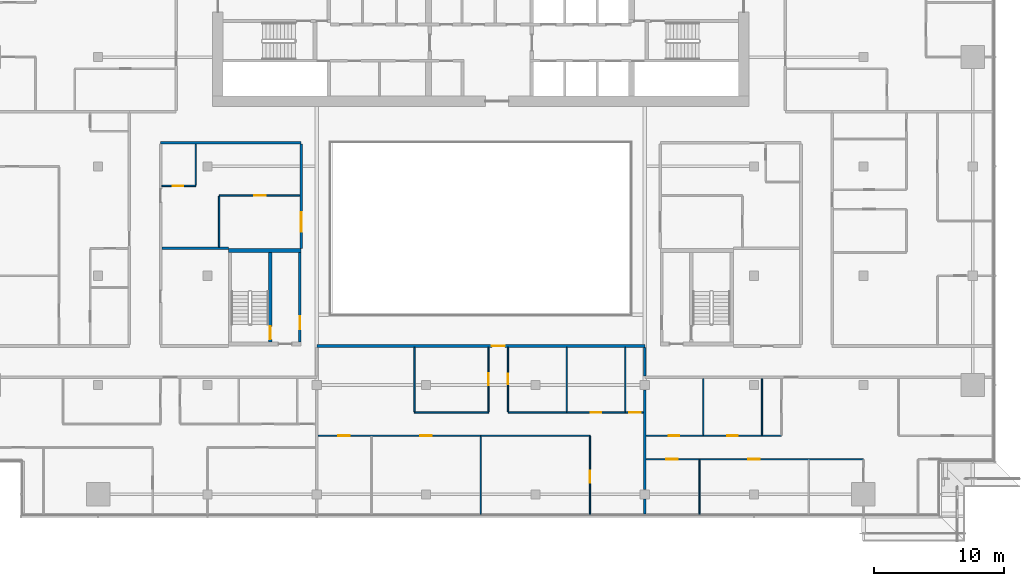
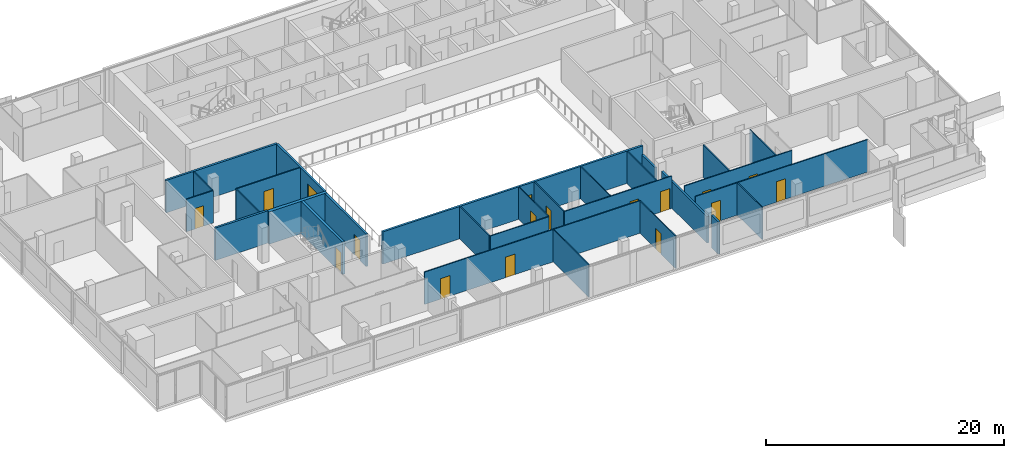
# One storey, part 19 of 30: 29 walls, 16 doors, 1 window, 17 openings.
"""IFC4 building model written with IfcOpenShell, lengths in metres."""

from ifc_helpers import new_model, si_unit, direction, frame, frame_2d, origin, place, context, subcontext, project, spatial, rectangle, extrude, material, layer, layer_set, type_object, element, fill, save


model = new_model("IFC4")

# Units and contexts
model_context = context("Model", 3, precision=1e-05, world=origin(), true_north=direction((0.0, 1.0)))
body_context = subcontext(model_context, "Body", "Model", "MODEL_VIEW")
ifc_project = project(units=[si_unit("LENGTHUNIT", "METRE"), si_unit("AREAUNIT", "SQUARE_METRE"), si_unit("VOLUMEUNIT", "CUBIC_METRE"), si_unit("PLANEANGLEUNIT", "RADIAN"), si_unit("MASSUNIT", "GRAM", prefix="KILO")], contexts=[model_context])

# Site, building, storey
site_placement = place(None, origin())
site = spatial("IfcSite", under=ifc_project, at=site_placement, CompositionType="ELEMENT")
building_placement = place(site_placement, origin())
building = spatial("IfcBuilding", under=site, at=building_placement, Name="Saffron Gate Tower", CompositionType="ELEMENT")
storey_placement = place(building_placement, frame((0.0, 0.0, 179.85009765625)))
storey = spatial("IfcBuildingStorey", under=building, at=storey_placement, Name="L44", CompositionType="ELEMENT", Elevation=179.85009765625)

# Wall, opening, door
ifc_material_1 = material(Name="Gypsum board partition on steel studs", Category="steel")
ifc_layer_1 = layer(ifc_material_1, 0.199951171875)
ifc_layer_set_1 = layer_set([ifc_layer_1], Name="CW10 Core partition 200")
wall_type_1 = type_object("IfcWallType", Name="CW10 Core partition 200", PredefinedType="PARTITIONING", material=ifc_layer_set_1)
wall_1_placement = place(storey_placement, frame((73.699951171875, 43.5, 0.0), z_axis=(0.0, 0.0, 1.0), x_axis=(0.0, 1.0, 0.0)))
wall_1 = element("IfcWall", 1, at=wall_1_placement, inside=storey, type_object=wall_type_1, Name="Wall CW10-L44-D-4", PredefinedType="PARTITIONING", context=body_context, shape_type="SweptSolid", body=[
    extrude(rectangle(XDim=6.89990234375, YDim=0.199951171875, at=frame_2d((3.449951171875, 0.0))), origin(), (0.0, 0.0, 1.0), 3.31982421875),
])
opening_1_placement = place(wall_1_placement, frame((1.0, 0.0, 0.0)))
opening_1 = element("IfcOpeningElement", 2, at=opening_1_placement, cuts=wall_1, Name="Opening CR-19", PredefinedType="OPENING", context=body_context, shape_type="SweptSolid", body=[
    extrude(rectangle(XDim=1.0, YDim=2.10009765625, at=frame_2d((0.5, 1.050048828125))), frame((0.0, 0.10986328125, 0.0), z_axis=(0.0, -1.0, 0.0), x_axis=(1.0, 0.0, 0.0)), (0.0, 0.0, 1.0), 0.219970703125),
])
ifc_material_2 = material(Name="Steel fire door set", Category="steel")
door_type_1 = type_object("IfcDoorType", Name="CD4 Lobby door 1000x2100 EI 120", OperationType="NOTDEFINED", PredefinedType="DOOR", material=ifc_material_2)
door_1_placement = place(opening_1_placement, origin())
door_1 = element("IfcDoor", 3, at=door_1_placement, inside=storey, type_object=door_type_1, Name="DOOR CR-19", OperationType="SINGLE_SWING_RIGHT", OverallHeight=2.10009765625, OverallWidth=1.0, PredefinedType="DOOR", context=body_context, shape_type="SweptSolid", body=[
    extrude(rectangle(XDim=1.0, YDim=2.10009765625, at=frame_2d((0.5, 1.050048828125))), frame((0.0, 0.02490234375, 0.0), z_axis=(0.0, -1.0, 0.0), x_axis=(1.0, 0.0, 0.0)), (0.0, 0.0, 1.0), 0.050048828125),
])
fill(opening_1, door_1)

ifc_material_3 = material(Name="Concrete C60", Category="concrete")
ifc_layer_2 = layer(ifc_material_3, 0.25)
ifc_layer_set_2 = layer_set([ifc_layer_2], Name="CW14 RC core wall 250 C60")
wall_type_2 = type_object("IfcWallType", Name="CW14 RC core wall 250 C60", PredefinedType="SOLIDWALL", material=ifc_layer_set_2)
wall_2_placement = place(storey_placement, frame((71.425048828125, 43.5, 0.0), z_axis=(0.0, 0.0, 1.0), x_axis=(0.0, 1.0, 0.0)))
wall_2 = element("IfcWall", 4, at=wall_2_placement, inside=storey, type_object=wall_type_2, Name="Wall CW14-L44-D-3", PredefinedType="SOLIDWALL", context=body_context, shape_type="SweptSolid", body=[
    extrude(rectangle(XDim=6.89990234375, YDim=0.25, at=frame_2d((3.449951171875, 0.0))), origin(), (0.0, 0.0, 1.0), 3.31982421875),
])
opening_2_placement = place(wall_2_placement, frame((0.199951171875, 0.0, 0.0)))
opening_2 = element("IfcOpeningElement", 5, at=opening_2_placement, cuts=wall_2, Name="Opening CR-20", PredefinedType="OPENING", context=body_context, shape_type="SweptSolid", body=[
    extrude(rectangle(XDim=1.0, YDim=2.10009765625, at=frame_2d((0.5, 1.050048828125))), frame((0.0, 0.135009765625, 0.0), z_axis=(0.0, -1.0, 0.0), x_axis=(1.0, 0.0, 0.0)), (0.0, 0.0, 1.0), 0.27001953125),
])
door_type_2 = type_object("IfcDoorType", Name="CD5 Stair door 1000x2100 EI 120", OperationType="NOTDEFINED", PredefinedType="DOOR", material=ifc_material_2)
door_2_placement = place(opening_2_placement, origin())
door_2 = element("IfcDoor", 6, at=door_2_placement, inside=storey, type_object=door_type_2, Name="DOOR CR-20", OperationType="SINGLE_SWING_LEFT", OverallHeight=2.10009765625, OverallWidth=1.0, PredefinedType="DOOR", context=body_context, shape_type="SweptSolid", body=[
    extrude(rectangle(XDim=1.0, YDim=2.10009765625, at=frame_2d((0.5, 1.050048828125))), frame((0.0, 0.02490234375, 0.0), z_axis=(0.0, -1.0, 0.0), x_axis=(1.0, 0.0, 0.0)), (0.0, 0.0, 1.0), 0.050048828125),
])
fill(opening_2, door_2)

# Wall
ifc_layer_3 = layer(ifc_material_3, 0.300048828125)
ifc_layer_set_3 = layer_set([ifc_layer_3], Name="CW17 RC core wall 300 C60")
wall_type_3 = type_object("IfcWallType", Name="CW17 RC core wall 300 C60", PredefinedType="SOLIDWALL", material=ifc_layer_set_3)
wall_3_placement = place(storey_placement, frame((68.199951171875, 50.550048828125, 0.0), z_axis=(0.0, 0.0, 1.0), x_axis=(1.0, 0.0, 0.0)))
element("IfcWall", 7, at=wall_3_placement, inside=storey, type_object=wall_type_3, Name="Wall CW17-L44-D-5", PredefinedType="SOLIDWALL", context=body_context, shape_type="SweptSolid", body=[
    extrude(rectangle(XDim=5.60009765625, YDim=0.300048828125, at=frame_2d((2.800048828125, 0.0))), origin(), (0.0, 0.0, 1.0), 3.31982421875),
])

# Wall, openings, doors
ifc_material_4 = material(Name="Plasterboard on steel studs", Category="steel")
ifc_layer_4 = layer(ifc_material_4, 0.10009765625)
ifc_layer_set_4 = layer_set([ifc_layer_4], Name="PW1 Partition 100")
wall_type_4 = type_object("IfcWallType", Name="PW1 Partition 100", PredefinedType="PARTITIONING", material=ifc_layer_set_4)
wall_4_placement = place(storey_placement, frame((117.0, 34.5, 0.0), z_axis=(0.0, 0.0, 1.0), x_axis=(-1.0, 0.0, 0.0)))
wall_4 = element("IfcWall", 8, at=wall_4_placement, inside=storey, type_object=wall_type_4, Name="Partition C4-1", PredefinedType="PARTITIONING", context=body_context, shape_type="SweptSolid", body=[
    extrude(rectangle(XDim=16.699951171875, YDim=0.10009765625, at=frame_2d((8.35009765625, 0.0))), origin(), (0.0, 0.0, 1.0), 3.31982421875),
])
opening_3_placement = place(wall_4_placement, frame((7.949951171875, 0.0, 0.0)))
opening_3 = element("IfcOpeningElement", 9, at=opening_3_placement, cuts=wall_4, Name="Opening C4-21", PredefinedType="OPENING", context=body_context, shape_type="SweptSolid", body=[
    extrude(rectangle(XDim=0.89990234375, YDim=2.10009765625, at=frame_2d((0.449951171875, 1.050048828125))), frame((0.0, 0.06005859375, 0.0), z_axis=(0.0, -1.0, 0.0), x_axis=(1.0, 0.0, 0.0)), (0.0, 0.0, 1.0), 0.1201171875),
])
opening_4_placement = place(wall_4_placement, frame((14.25, 0.0, 0.0)))
opening_4 = element("IfcOpeningElement", 10, at=opening_4_placement, cuts=wall_4, Name="Opening C4-20", PredefinedType="OPENING", context=body_context, shape_type="SweptSolid", body=[
    extrude(rectangle(XDim=0.89990234375, YDim=2.10009765625, at=frame_2d((0.449951171875, 1.050048828125))), frame((0.0, 0.06005859375, 0.0), z_axis=(0.0, -1.0, 0.0), x_axis=(1.0, 0.0, 0.0)), (0.0, 0.0, 1.0), 0.1201171875),
])
ifc_material_5 = material(Name="Timber door set", Category="wood")
door_type_3 = type_object("IfcDoorType", Name="RD1 Room door 900x2100", OperationType="NOTDEFINED", PredefinedType="DOOR", material=ifc_material_5)
door_3_placement = place(opening_3_placement, origin())
door_3 = element("IfcDoor", 11, at=door_3_placement, inside=storey, type_object=door_type_3, Name="Door C4-21", OperationType="SINGLE_SWING_LEFT", OverallHeight=2.10009765625, OverallWidth=0.89990234375, PredefinedType="DOOR", context=body_context, shape_type="SweptSolid", body=[
    extrude(rectangle(XDim=0.89990234375, YDim=2.10009765625, at=frame_2d((0.449951171875, 1.050048828125))), frame((0.0, 0.02490234375, 0.0), z_axis=(0.0, -1.0, 0.0), x_axis=(1.0, 0.0, 0.0)), (0.0, 0.0, 1.0), 0.050048828125),
])
fill(opening_3, door_3)
door_4_placement = place(opening_4_placement, origin())
door_4 = element("IfcDoor", 12, at=door_4_placement, inside=storey, type_object=door_type_3, Name="Door C4-20", OperationType="SINGLE_SWING_RIGHT", OverallHeight=2.10009765625, OverallWidth=0.89990234375, PredefinedType="DOOR", context=body_context, shape_type="SweptSolid", body=[
    extrude(rectangle(XDim=0.89990234375, YDim=2.10009765625, at=frame_2d((0.449951171875, 1.050048828125))), frame((0.0, 0.02490234375, 0.0), z_axis=(0.0, -1.0, 0.0), x_axis=(1.0, 0.0, 0.0)), (0.0, 0.0, 1.0), 0.050048828125),
])
fill(opening_4, door_4)

wall_5_placement = place(storey_placement, frame((96.0, 36.300048828125, 0.0), z_axis=(0.0, 0.0, 1.0), x_axis=(-1.0, 0.0, 0.0)))
wall_5 = element("IfcWall", 13, at=wall_5_placement, inside=storey, type_object=wall_type_4, Name="Partition C4-5", PredefinedType="PARTITIONING", context=body_context, shape_type="SweptSolid", body=[
    extrude(rectangle(XDim=20.89990234375, YDim=0.10009765625, at=frame_2d((10.449951171875, 0.0))), origin(), (0.0, 0.0, 1.0), 3.31982421875),
])
opening_5_placement = place(wall_5_placement, frame((12.14990234375, 0.0, 0.0)))
opening_5 = element("IfcOpeningElement", 14, at=opening_5_placement, cuts=wall_5, Name="Opening C4-16", PredefinedType="OPENING", context=body_context, shape_type="SweptSolid", body=[
    extrude(rectangle(XDim=0.89990234375, YDim=2.10009765625, at=frame_2d((0.449951171875, 1.050048828125))), frame((0.0, 0.06005859375, 0.0), z_axis=(0.0, -1.0, 0.0), x_axis=(1.0, 0.0, 0.0)), (0.0, 0.0, 1.0), 0.1201171875),
])
opening_6_placement = place(wall_5_placement, frame((18.449951171875, 0.0, 0.0)))
opening_6 = element("IfcOpeningElement", 15, at=opening_6_placement, cuts=wall_5, Name="Opening C4-15", PredefinedType="OPENING", context=body_context, shape_type="SweptSolid", body=[
    extrude(rectangle(XDim=0.89990234375, YDim=2.10009765625, at=frame_2d((0.449951171875, 1.050048828125))), frame((0.0, 0.06005859375, 0.0), z_axis=(0.0, -1.0, 0.0), x_axis=(1.0, 0.0, 0.0)), (0.0, 0.0, 1.0), 0.1201171875),
])
door_5_placement = place(opening_5_placement, origin())
door_5 = element("IfcDoor", 16, at=door_5_placement, inside=storey, type_object=door_type_3, Name="Door C4-16", OperationType="SINGLE_SWING_RIGHT", OverallHeight=2.10009765625, OverallWidth=0.89990234375, PredefinedType="DOOR", context=body_context, shape_type="SweptSolid", body=[
    extrude(rectangle(XDim=0.89990234375, YDim=2.10009765625, at=frame_2d((0.449951171875, 1.050048828125))), frame((0.0, 0.02490234375, 0.0), z_axis=(0.0, -1.0, 0.0), x_axis=(1.0, 0.0, 0.0)), (0.0, 0.0, 1.0), 0.050048828125),
])
fill(opening_5, door_5)
door_6_placement = place(opening_6_placement, origin())
door_6 = element("IfcDoor", 17, at=door_6_placement, inside=storey, type_object=door_type_3, Name="Door C4-15", OperationType="SINGLE_SWING_RIGHT", OverallHeight=2.10009765625, OverallWidth=0.89990234375, PredefinedType="DOOR", context=body_context, shape_type="SweptSolid", body=[
    extrude(rectangle(XDim=0.89990234375, YDim=2.10009765625, at=frame_2d((0.449951171875, 1.050048828125))), frame((0.0, 0.02490234375, 0.0), z_axis=(0.0, -1.0, 0.0), x_axis=(1.0, 0.0, 0.0)), (0.0, 0.0, 1.0), 0.050048828125),
])
fill(opening_6, door_6)

wall_6_placement = place(storey_placement, frame((100.300048828125, 36.300048828125, 0.0), z_axis=(0.0, 0.0, 1.0), x_axis=(1.0, 0.0, 0.0)))
wall_6 = element("IfcWall", 18, at=wall_6_placement, inside=storey, type_object=wall_type_4, Name="Partition C4-6", PredefinedType="PARTITIONING", context=body_context, shape_type="SweptSolid", body=[
    extrude(rectangle(XDim=10.39990234375, YDim=0.10009765625, at=frame_2d((5.199951171875, 0.0))), origin(), (0.0, 0.0, 1.0), 3.31982421875),
])
opening_7_placement = place(wall_6_placement, frame((1.75, 0.0, 0.0)))
opening_7 = element("IfcOpeningElement", 19, at=opening_7_placement, cuts=wall_6, Name="Opening C4-44", PredefinedType="OPENING", context=body_context, shape_type="SweptSolid", body=[
    extrude(rectangle(XDim=0.800048828125, YDim=2.10009765625, at=frame_2d((0.39990234375, 1.050048828125))), frame((0.0, 0.06005859375, 0.0), z_axis=(0.0, -1.0, 0.0), x_axis=(1.0, 0.0, 0.0)), (0.0, 0.0, 1.0), 0.1201171875),
])
opening_8_placement = place(wall_6_placement, frame((6.25, 0.0, 0.0)))
opening_8 = element("IfcOpeningElement", 20, at=opening_8_placement, cuts=wall_6, Name="Opening C4-45", PredefinedType="OPENING", context=body_context, shape_type="SweptSolid", body=[
    extrude(rectangle(XDim=0.800048828125, YDim=2.10009765625, at=frame_2d((0.39990234375, 1.050048828125))), frame((0.0, 0.06005859375, 0.0), z_axis=(0.0, -1.0, 0.0), x_axis=(1.0, 0.0, 0.0)), (0.0, 0.0, 1.0), 0.1201171875),
])
door_type_4 = type_object("IfcDoorType", Name="RD2 Bathroom door 800x2100", OperationType="NOTDEFINED", PredefinedType="DOOR", material=ifc_material_5)
door_7_placement = place(opening_7_placement, origin())
door_7 = element("IfcDoor", 21, at=door_7_placement, inside=storey, type_object=door_type_4, Name="Door C4-44", OperationType="SINGLE_SWING_LEFT", OverallHeight=2.10009765625, OverallWidth=0.800048828125, PredefinedType="DOOR", context=body_context, shape_type="SweptSolid", body=[
    extrude(rectangle(XDim=0.800048828125, YDim=2.10009765625, at=frame_2d((0.39990234375, 1.050048828125))), frame((0.0, 0.02490234375, 0.0), z_axis=(0.0, -1.0, 0.0), x_axis=(1.0, 0.0, 0.0)), (0.0, 0.0, 1.0), 0.050048828125),
])
fill(opening_7, door_7)
door_8_placement = place(opening_8_placement, origin())
door_8 = element("IfcDoor", 22, at=door_8_placement, inside=storey, type_object=door_type_4, Name="Door C4-45", OperationType="SINGLE_SWING_RIGHT", OverallHeight=2.10009765625, OverallWidth=0.800048828125, PredefinedType="DOOR", context=body_context, shape_type="SweptSolid", body=[
    extrude(rectangle(XDim=0.800048828125, YDim=2.10009765625, at=frame_2d((0.39990234375, 1.050048828125))), frame((0.0, 0.02490234375, 0.0), z_axis=(0.0, -1.0, 0.0), x_axis=(1.0, 0.0, 0.0)), (0.0, 0.0, 1.0), 0.050048828125),
])
fill(opening_8, door_8)

# Wall
wall_7_placement = place(storey_placement, frame((82.5, 38.10009765625, 0.0), z_axis=(0.0, 0.0, 1.0), x_axis=(1.0, 0.0, 0.0)))
element("IfcWall", 23, at=wall_7_placement, inside=storey, type_object=wall_type_4, Name="Partition C4-10", PredefinedType="PARTITIONING", context=body_context, shape_type="SweptSolid", body=[
    extrude(rectangle(XDim=5.699951171875, YDim=0.10009765625, at=frame_2d((2.85009765625, 0.0))), origin(), (0.0, 0.0, 1.0), 3.31982421875),
])

# Wall, openings, doors
wall_8_placement = place(storey_placement, frame((89.699951171875, 38.10009765625, 0.0), z_axis=(0.0, 0.0, 1.0), x_axis=(1.0, 0.0, 0.0)))
wall_8 = element("IfcWall", 24, at=wall_8_placement, inside=storey, type_object=wall_type_4, Name="Partition C4-11", PredefinedType="PARTITIONING", context=body_context, shape_type="SweptSolid", body=[
    extrude(rectangle(XDim=10.400146484375, YDim=0.10009765625, at=frame_2d((5.2001953125, 0.0))), origin(), (0.0, 0.0, 1.0), 3.31982421875),
])
opening_9_placement = place(wall_8_placement, frame((6.35009765625, 0.0, 0.0)))
opening_9 = element("IfcOpeningElement", 25, at=opening_9_placement, cuts=wall_8, Name="Opening C4-43", PredefinedType="OPENING", context=body_context, shape_type="SweptSolid", body=[
    extrude(rectangle(XDim=0.800048828125, YDim=2.10009765625, at=frame_2d((0.39990234375, 1.050048828125))), frame((0.0, 0.06005859375, 0.0), z_axis=(0.0, -1.0, 0.0), x_axis=(1.0, 0.0, 0.0)), (0.0, 0.0, 1.0), 0.1201171875),
])
opening_10_placement = place(wall_8_placement, frame((9.300048828125, 0.0, 0.0)))
opening_10 = element("IfcOpeningElement", 26, at=opening_10_placement, cuts=wall_8, Name="Opening C4-19", PredefinedType="OPENING", context=body_context, shape_type="SweptSolid", body=[
    extrude(rectangle(XDim=0.89990234375, YDim=2.10009765625, at=frame_2d((0.449951171875, 1.050048828125))), frame((0.0, 0.06005859375, 0.0), z_axis=(0.0, -1.0, 0.0), x_axis=(1.0, 0.0, 0.0)), (0.0, 0.0, 1.0), 0.1201171875),
])
door_9_placement = place(opening_10_placement, origin())
door_9 = element("IfcDoor", 27, at=door_9_placement, inside=storey, type_object=door_type_3, Name="Door C4-19", OperationType="SINGLE_SWING_RIGHT", OverallHeight=2.10009765625, OverallWidth=0.89990234375, PredefinedType="DOOR", context=body_context, shape_type="SweptSolid", body=[
    extrude(rectangle(XDim=0.89990234375, YDim=2.10009765625, at=frame_2d((0.449951171875, 1.050048828125))), frame((0.0, 0.02490234375, 0.0), z_axis=(0.0, -1.0, 0.0), x_axis=(1.0, 0.0, 0.0)), (0.0, 0.0, 1.0), 0.050048828125),
])
fill(opening_10, door_9)
door_10_placement = place(opening_9_placement, origin())
door_10 = element("IfcDoor", 28, at=door_10_placement, inside=storey, type_object=door_type_4, Name="Door C4-43", OperationType="SINGLE_SWING_LEFT", OverallHeight=2.10009765625, OverallWidth=0.800048828125, PredefinedType="DOOR", context=body_context, shape_type="SweptSolid", body=[
    extrude(rectangle(XDim=0.800048828125, YDim=2.10009765625, at=frame_2d((0.39990234375, 1.050048828125))), frame((0.0, 0.02490234375, 0.0), z_axis=(0.0, -1.0, 0.0), x_axis=(1.0, 0.0, 0.0)), (0.0, 0.0, 1.0), 0.050048828125),
])
fill(opening_9, door_10)

# Wall, opening, door
wall_9_placement = place(storey_placement, frame((73.699951171875, 54.75, 0.0), z_axis=(0.0, 0.0, 1.0), x_axis=(-1.0, 0.0, 0.0)))
wall_9 = element("IfcWall", 29, at=wall_9_placement, inside=storey, type_object=wall_type_4, Name="Partition C4-32", PredefinedType="PARTITIONING", context=body_context, shape_type="SweptSolid", body=[
    extrude(rectangle(XDim=6.199951171875, YDim=0.10009765625, at=frame_2d((3.10009765625, 0.0))), origin(), (0.0, 0.0, 1.0), 3.31982421875),
])
opening_11_placement = place(wall_9_placement, frame((2.60009765625, 0.0, 0.0)))
opening_11 = element("IfcOpeningElement", 30, at=opening_11_placement, cuts=wall_9, Name="Opening C4-38", PredefinedType="OPENING", context=body_context, shape_type="SweptSolid", body=[
    extrude(rectangle(XDim=0.89990234375, YDim=2.10009765625, at=frame_2d((0.449951171875, 1.050048828125))), frame((0.0, 0.06005859375, 0.0), z_axis=(0.0, -1.0, 0.0), x_axis=(1.0, 0.0, 0.0)), (0.0, 0.0, 1.0), 0.1201171875),
])
door_11_placement = place(opening_11_placement, origin())
door_11 = element("IfcDoor", 31, at=door_11_placement, inside=storey, type_object=door_type_3, Name="Door C4-38", OperationType="SINGLE_SWING_LEFT", OverallHeight=2.10009765625, OverallWidth=0.89990234375, PredefinedType="DOOR", context=body_context, shape_type="SweptSolid", body=[
    extrude(rectangle(XDim=0.89990234375, YDim=2.10009765625, at=frame_2d((0.449951171875, 1.050048828125))), frame((0.0, 0.02490234375, 0.0), z_axis=(0.0, -1.0, 0.0), x_axis=(1.0, 0.0, 0.0)), (0.0, 0.0, 1.0), 0.050048828125),
])
fill(opening_11, door_11)

wall_10_placement = place(storey_placement, frame((63.10009765625, 55.5, 0.0), z_axis=(0.0, 0.0, 1.0), x_axis=(1.0, 0.0, 0.0)))
wall_10 = element("IfcWall", 32, at=wall_10_placement, inside=storey, type_object=wall_type_4, Name="Partition C4-35", PredefinedType="PARTITIONING", context=body_context, shape_type="SweptSolid", body=[
    extrude(rectangle(XDim=2.599853515625, YDim=0.10009765625, at=frame_2d((1.2998046875, 0.0))), origin(), (0.0, 0.0, 1.0), 3.31982421875),
])
opening_12_placement = place(wall_10_placement, frame((0.85009765625, 0.0, 0.0)))
opening_12 = element("IfcOpeningElement", 33, at=opening_12_placement, cuts=wall_10, Name="Opening C4-52", PredefinedType="OPENING", context=body_context, shape_type="SweptSolid", body=[
    extrude(rectangle(XDim=0.800048828125, YDim=2.10009765625, at=frame_2d((0.39990234375, 1.050048828125))), frame((0.0, 0.06005859375, 0.0), z_axis=(0.0, -1.0, 0.0), x_axis=(1.0, 0.0, 0.0)), (0.0, 0.0, 1.0), 0.1201171875),
])
door_12_placement = place(opening_12_placement, origin())
door_12 = element("IfcDoor", 34, at=door_12_placement, inside=storey, type_object=door_type_4, Name="Door C4-52", OperationType="SINGLE_SWING_LEFT", OverallHeight=2.10009765625, OverallWidth=0.800048828125, PredefinedType="DOOR", context=body_context, shape_type="SweptSolid", body=[
    extrude(rectangle(XDim=0.800048828125, YDim=2.10009765625, at=frame_2d((0.39990234375, 1.050048828125))), frame((0.0, 0.02490234375, 0.0), z_axis=(0.0, -1.0, 0.0), x_axis=(1.0, 0.0, 0.0)), (0.0, 0.0, 1.0), 0.050048828125),
])
fill(opening_12, door_12)

# Walls
wall_11_placement = place(storey_placement, frame((65.699951171875, 58.699951171875, 0.0), z_axis=(0.0, 0.0, 1.0), x_axis=(0.0, -1.0, 0.0)))
element("IfcWall", 35, at=wall_11_placement, inside=storey, type_object=wall_type_4, Name="Partition C4-72", PredefinedType="PARTITIONING", context=body_context, shape_type="SweptSolid", body=[
    extrude(rectangle(XDim=3.14990234375, YDim=0.10009765625, at=frame_2d((1.574951171875, 0.0))), origin(), (0.0, 0.0, 1.0), 3.31982421875),
])
wall_12_placement = place(storey_placement, frame((67.5, 54.699951171875, 0.0), z_axis=(0.0, 0.0, 1.0), x_axis=(0.0, -1.0, 0.0)))
element("IfcWall", 36, at=wall_12_placement, inside=storey, type_object=wall_type_4, Name="Partition C4-75", PredefinedType="PARTITIONING", context=body_context, shape_type="SweptSolid", body=[
    extrude(rectangle(XDim=3.89990234375, YDim=0.10009765625, at=frame_2d((1.949951171875, 0.0))), origin(), (0.0, 0.0, 1.0), 3.31982421875),
])
wall_13_placement = place(storey_placement, frame((82.5, 43.10009765625, 0.0), z_axis=(0.0, 0.0, 1.0), x_axis=(0.0, -1.0, 0.0)))
element("IfcWall", 37, at=wall_13_placement, inside=storey, type_object=wall_type_4, Name="Partition C4-83", PredefinedType="PARTITIONING", context=body_context, shape_type="SweptSolid", body=[
    extrude(rectangle(XDim=4.9501953125, YDim=0.10009765625, at=frame_2d((2.47509765625, 0.0))), origin(), (0.0, 0.0, 1.0), 3.31982421875),
])
wall_14_placement = place(storey_placement, frame((87.60009765625, 36.25, 0.0), z_axis=(0.0, 0.0, 1.0), x_axis=(0.0, -1.0, 0.0)))
element("IfcWall", 38, at=wall_14_placement, inside=storey, type_object=wall_type_4, Name="Partition C4-84", PredefinedType="PARTITIONING", context=body_context, shape_type="SweptSolid", body=[
    extrude(rectangle(XDim=5.969970703125, YDim=0.10009765625, at=frame_2d((2.98486328125, 0.0))), origin(), (0.0, 0.0, 1.0), 3.31982421875),
])

# Wall, opening, door
wall_15_placement = place(storey_placement, frame((88.199951171875, 38.14990234375, 0.0), z_axis=(0.0, 0.0, 1.0), x_axis=(0.0, 1.0, 0.0)))
wall_15 = element("IfcWall", 39, at=wall_15_placement, inside=storey, type_object=wall_type_4, Name="Partition C4-85", PredefinedType="PARTITIONING", context=body_context, shape_type="SweptSolid", body=[
    extrude(rectangle(XDim=4.9501953125, YDim=0.10009765625, at=frame_2d((2.47509765625, 0.0))), origin(), (0.0, 0.0, 1.0), 3.31982421875),
])
opening_13_placement = place(wall_15_placement, frame((2.050048828125, 0.0, 0.0)))
opening_13 = element("IfcOpeningElement", 40, at=opening_13_placement, cuts=wall_15, Name="Opening C4-18", PredefinedType="OPENING", context=body_context, shape_type="SweptSolid", body=[
    extrude(rectangle(XDim=0.89990234375, YDim=2.10009765625, at=frame_2d((0.449951171875, 1.050048828125))), frame((0.0, 0.06005859375, 0.0), z_axis=(0.0, -1.0, 0.0), x_axis=(1.0, 0.0, 0.0)), (0.0, 0.0, 1.0), 0.1201171875),
])
door_13_placement = place(opening_13_placement, origin())
door_13 = element("IfcDoor", 41, at=door_13_placement, inside=storey, type_object=door_type_3, Name="Door C4-18", OperationType="SINGLE_SWING_RIGHT", OverallHeight=2.10009765625, OverallWidth=0.89990234375, PredefinedType="DOOR", context=body_context, shape_type="SweptSolid", body=[
    extrude(rectangle(XDim=0.89990234375, YDim=2.10009765625, at=frame_2d((0.449951171875, 1.050048828125))), frame((0.0, 0.02490234375, 0.0), z_axis=(0.0, -1.0, 0.0), x_axis=(1.0, 0.0, 0.0)), (0.0, 0.0, 1.0), 0.050048828125),
])
fill(opening_13, door_13)

wall_16_placement = place(storey_placement, frame((89.699951171875, 43.10009765625, 0.0), z_axis=(0.0, 0.0, 1.0), x_axis=(0.0, -1.0, 0.0)))
wall_16 = element("IfcWall", 42, at=wall_16_placement, inside=storey, type_object=wall_type_4, Name="Partition C4-86", PredefinedType="PARTITIONING", context=body_context, shape_type="SweptSolid", body=[
    extrude(rectangle(XDim=4.9501953125, YDim=0.10009765625, at=frame_2d((2.47509765625, 0.0))), origin(), (0.0, 0.0, 1.0), 3.31982421875),
])
opening_14_placement = place(wall_16_placement, frame((2.050048828125, 0.0, 0.0)))
opening_14 = element("IfcOpeningElement", 43, at=opening_14_placement, cuts=wall_16, Name="Opening C4-42", PredefinedType="OPENING", context=body_context, shape_type="SweptSolid", body=[
    extrude(rectangle(XDim=0.800048828125, YDim=2.10009765625, at=frame_2d((0.39990234375, 1.050048828125))), frame((0.0, 0.06005859375, 0.0), z_axis=(0.0, -1.0, 0.0), x_axis=(1.0, 0.0, 0.0)), (0.0, 0.0, 1.0), 0.1201171875),
])
door_14_placement = place(opening_14_placement, origin())
door_14 = element("IfcDoor", 44, at=door_14_placement, inside=storey, type_object=door_type_4, Name="Door C4-42", OperationType="SINGLE_SWING_LEFT", OverallHeight=2.10009765625, OverallWidth=0.800048828125, PredefinedType="DOOR", context=body_context, shape_type="SweptSolid", body=[
    extrude(rectangle(XDim=0.800048828125, YDim=2.10009765625, at=frame_2d((0.39990234375, 1.050048828125))), frame((0.0, 0.02490234375, 0.0), z_axis=(0.0, -1.0, 0.0), x_axis=(1.0, 0.0, 0.0)), (0.0, 0.0, 1.0), 0.050048828125),
])
fill(opening_14, door_14)

# Wall
wall_17_placement = place(storey_placement, frame((94.199951171875, 43.10009765625, 0.0), z_axis=(0.0, 0.0, 1.0), x_axis=(0.0, -1.0, 0.0)))
element("IfcWall", 45, at=wall_17_placement, inside=storey, type_object=wall_type_4, Name="Partition C4-87", PredefinedType="PARTITIONING", context=body_context, shape_type="SweptSolid", body=[
    extrude(rectangle(XDim=4.9501953125, YDim=0.10009765625, at=frame_2d((2.47509765625, 0.0))), origin(), (0.0, 0.0, 1.0), 3.31982421875),
])

# Wall, opening, door
wall_18_placement = place(storey_placement, frame((96.0, 30.280029296875, 0.0), z_axis=(0.0, 0.0, 1.0), x_axis=(0.0, 1.0, 0.0)))
wall_18 = element("IfcWall", 46, at=wall_18_placement, inside=storey, type_object=wall_type_4, Name="Partition C4-88", PredefinedType="PARTITIONING", context=body_context, shape_type="SweptSolid", body=[
    extrude(rectangle(XDim=5.969970703125, YDim=0.10009765625, at=frame_2d((2.98486328125, 0.0))), origin(), (0.0, 0.0, 1.0), 3.31982421875),
])
opening_15_placement = place(wall_18_placement, frame((2.419921875, 0.0, 0.0)))
opening_15 = element("IfcOpeningElement", 47, at=opening_15_placement, cuts=wall_18, Name="Opening C4-17", PredefinedType="OPENING", context=body_context, shape_type="SweptSolid", body=[
    extrude(rectangle(XDim=0.89990234375, YDim=2.10009765625, at=frame_2d((0.449951171875, 1.050048828125))), frame((0.0, 0.06005859375, 0.0), z_axis=(0.0, -1.0, 0.0), x_axis=(1.0, 0.0, 0.0)), (0.0, 0.0, 1.0), 0.1201171875),
])
door_15_placement = place(opening_15_placement, origin())
door_15 = element("IfcDoor", 48, at=door_15_placement, inside=storey, type_object=door_type_3, Name="Door C4-17", OperationType="SINGLE_SWING_LEFT", OverallHeight=2.10009765625, OverallWidth=0.89990234375, PredefinedType="DOOR", context=body_context, shape_type="SweptSolid", body=[
    extrude(rectangle(XDim=0.89990234375, YDim=2.10009765625, at=frame_2d((0.449951171875, 1.050048828125))), frame((0.0, 0.02490234375, 0.0), z_axis=(0.0, -1.0, 0.0), x_axis=(1.0, 0.0, 0.0)), (0.0, 0.0, 1.0), 0.050048828125),
])
fill(opening_15, door_15)

# Walls
wall_19_placement = place(storey_placement, frame((98.699951171875, 43.10009765625, 0.0), z_axis=(0.0, 0.0, 1.0), x_axis=(0.0, -1.0, 0.0)))
element("IfcWall", 49, at=wall_19_placement, inside=storey, type_object=wall_type_4, Name="Partition C4-89", PredefinedType="PARTITIONING", context=body_context, shape_type="SweptSolid", body=[
    extrude(rectangle(XDim=4.9501953125, YDim=0.10009765625, at=frame_2d((2.47509765625, 0.0))), origin(), (0.0, 0.0, 1.0), 3.31982421875),
])
wall_20_placement = place(storey_placement, frame((104.39990234375, 34.449951171875, 0.0), z_axis=(0.0, 0.0, 1.0), x_axis=(0.0, -1.0, 0.0)))
element("IfcWall", 50, at=wall_20_placement, inside=storey, type_object=wall_type_4, Name="Partition C4-94", PredefinedType="PARTITIONING", context=body_context, shape_type="SweptSolid", body=[
    extrude(rectangle(XDim=4.169921875, YDim=0.10009765625, at=frame_2d((2.0849609375, 0.0))), origin(), (0.0, 0.0, 1.0), 3.31982421875),
])
for number, where, z_axis, x_axis, name in (
    (51, (104.699951171875, 40.699951171875, 0.0), (0.0, 0.0, 1.0), (0.0, -1.0, 0.0), "Partition C4-95"),
    (52, (109.199951171875, 40.699951171875, 0.0), (0.0, 0.0, 1.0), (0.0, -1.0, 0.0), "Partition C4-97"),
):
    element("IfcWall", number, at=place(storey_placement, frame(where, z_axis=z_axis, x_axis=x_axis)), inside=storey, type_object=wall_type_4, Name=name, PredefinedType="PARTITIONING", context=body_context, shape_type="SweptSolid", body=[
        extrude(rectangle(XDim=4.349853515625, YDim=0.10009765625, at=frame_2d((2.1748046875, 0.0))), origin(), (0.0, 0.0, 1.0), 3.31982421875),
    ])
ifc_material_6 = material(Name="Clay brick masonry, rendered", Category="masonry")
ifc_layer_5 = layer(ifc_material_6, 0.199951171875)
ifc_layer_set_5 = layer_set([ifc_layer_5], Name="PW2 Demising wall 200")
wall_type_5 = type_object("IfcWallType", Name="PW2 Demising wall 200", PredefinedType="PARTITIONING", material=ifc_layer_set_5)
wall_21_placement = place(storey_placement, frame((63.10009765625, 50.699951171875, 0.0), z_axis=(0.0, 0.0, 1.0), x_axis=(1.0, 0.0, 0.0)))
element("IfcWall", 53, at=wall_21_placement, inside=storey, type_object=wall_type_5, Name="Wall C4-27", PredefinedType="PARTITIONING", context=body_context, shape_type="SweptSolid", body=[
    extrude(rectangle(XDim=5.099853515625, YDim=0.199951171875, at=frame_2d((2.5498046875, 0.0))), origin(), (0.0, 0.0, 1.0), 3.31982421875),
])
wall_22_placement = place(storey_placement, frame((100.199951171875, 31.429931640625, 0.0), z_axis=(0.0, 0.0, 1.0), x_axis=(0.0, -1.0, 0.0)))
element("IfcWall", 54, at=wall_22_placement, inside=storey, type_object=wall_type_5, Name="Wall C4-91", PredefinedType="PARTITIONING", context=body_context, shape_type="SweptSolid", body=[
    extrude(rectangle(XDim=1.14990234375, YDim=0.199951171875, at=frame_2d((0.574951171875, 0.0))), origin(), (0.0, 0.0, 1.0), 3.31982421875),
])
wall_23_placement = place(storey_placement, frame((100.199951171875, 39.830078125, 0.0), z_axis=(0.0, 0.0, 1.0), x_axis=(0.0, -1.0, 0.0)))
element("IfcWall", 55, at=wall_23_placement, inside=storey, type_object=wall_type_5, Name="Wall C4-92", PredefinedType="PARTITIONING", context=body_context, shape_type="SweptSolid", body=[
    extrude(rectangle(XDim=7.66015625, YDim=0.199951171875, at=frame_2d((3.830078125, 0.0))), origin(), (0.0, 0.0, 1.0), 2.719970703125),
])

# Wall, opening, door
ifc_layer_6 = layer(ifc_material_6, 0.199951171875)
ifc_layer_set_6 = layer_set([ifc_layer_6], Name="PW3 Corridor wall 200")
wall_type_6 = type_object("IfcWallType", Name="PW3 Corridor wall 200", PredefinedType="PARTITIONING", material=ifc_layer_set_6)
wall_24_placement = place(storey_placement, frame((100.199951171875, 43.199951171875, 0.0), z_axis=(0.0, 0.0, 1.0), x_axis=(-1.0, 0.0, 0.0)))
wall_24 = element("IfcWall", 56, at=wall_24_placement, inside=storey, type_object=wall_type_6, Name="Wall C4-18", PredefinedType="PARTITIONING", context=body_context, shape_type="SweptSolid", body=[
    extrude(rectangle(XDim=25.199951171875, YDim=0.199951171875, at=frame_2d((12.60009765625, 0.0))), origin(), (0.0, 0.0, 1.0), 3.31982421875),
])
opening_16_placement = place(wall_24_placement, frame((10.75, 0.0, 0.0)))
opening_16 = element("IfcOpeningElement", 57, at=opening_16_placement, cuts=wall_24, Name="Opening C4-2", PredefinedType="OPENING", context=body_context, shape_type="SweptSolid", body=[
    extrude(rectangle(XDim=1.0, YDim=2.10009765625, at=frame_2d((0.5, 1.050048828125))), frame((0.0, 0.10986328125, 0.0), z_axis=(0.0, -1.0, 0.0), x_axis=(1.0, 0.0, 0.0)), (0.0, 0.0, 1.0), 0.219970703125),
])
ifc_material_7 = material(Name="Timber fire door set", Category="wood")
door_type_5 = type_object("IfcDoorType", Name="FD1 Flat entry door 1000x2100", OperationType="NOTDEFINED", PredefinedType="DOOR", material=ifc_material_7)
door_16_placement = place(opening_16_placement, origin())
door_16 = element("IfcDoor", 58, at=door_16_placement, inside=storey, type_object=door_type_5, Name="Door C4-2", OperationType="SINGLE_SWING_RIGHT", OverallHeight=2.10009765625, OverallWidth=1.0, PredefinedType="DOOR", context=body_context, shape_type="SweptSolid", body=[
    extrude(rectangle(XDim=1.0, YDim=2.10009765625, at=frame_2d((0.5, 1.050048828125))), frame((0.0, 0.02490234375, 0.0), z_axis=(0.0, -1.0, 0.0), x_axis=(1.0, 0.0, 0.0)), (0.0, 0.0, 1.0), 0.050048828125),
])
fill(opening_16, door_16)

# Wall
wall_25_placement = place(storey_placement, frame((63.0, 58.800048828125, 0.0), z_axis=(0.0, 0.0, 1.0), x_axis=(1.0, 0.0, 0.0)))
element("IfcWall", 59, at=wall_25_placement, inside=storey, type_object=wall_type_6, Name="Wall C4-39", PredefinedType="PARTITIONING", context=body_context, shape_type="SweptSolid", body=[
    extrude(rectangle(XDim=10.800048828125, YDim=0.199951171875, at=frame_2d((5.39990234375, 0.0))), origin(), (0.0, 0.0, 1.0), 3.31982421875),
])

# Wall, opening, window
wall_26_placement = place(storey_placement, frame((73.800048828125, 58.699951171875, 0.0), z_axis=(0.0, 0.0, 1.0), x_axis=(0.0, -1.0, 0.0)))
wall_26 = element("IfcWall", 60, at=wall_26_placement, inside=storey, type_object=wall_type_6, Name="Wall C4-78", PredefinedType="PARTITIONING", context=body_context, shape_type="SweptSolid", body=[
    extrude(rectangle(XDim=8.0, YDim=0.199951171875, at=frame_2d((4.0, 0.0))), origin(), (0.0, 0.0, 1.0), 3.31982421875),
])
opening_17_placement = place(wall_26_placement, frame((5.22509765625, 0.0, 0.89990234375)))
opening_17 = element("IfcOpeningElement", 61, at=opening_17_placement, cuts=wall_26, Name="Opening GW1", PredefinedType="OPENING", context=body_context, shape_type="SweptSolid", body=[
    extrude(rectangle(XDim=1.5, YDim=1.5, at=frame_2d((0.75, 0.75))), frame((0.0, 0.10986328125, 0.0), z_axis=(0.0, -1.0, 0.0), x_axis=(1.0, 0.0, 0.0)), (0.0, 0.0, 1.0), 0.219970703125),
])
ifc_material_8 = material(Name="Fire-resisting laminated glass in steel frame", Category="steel")
ifc_layer_7 = layer(ifc_material_8, 0.06005859375)
ifc_layer_set_7 = layer_set([ifc_layer_7], Name="GW1 Gallery window 1500x1500")
window_type = type_object("IfcWindowType", Name="GW1 Gallery window 1500x1500", PartitioningType="SINGLE_PANEL", PredefinedType="WINDOW", material=ifc_layer_set_7)
window_placement = place(opening_17_placement, origin())
window = element("IfcWindow", 62, at=window_placement, inside=storey, type_object=window_type, Name="GW1 window C4-H-B1", OverallHeight=1.5, OverallWidth=1.5, PartitioningType="SINGLE_PANEL", PredefinedType="WINDOW", context=body_context, shape_type="SweptSolid", body=[
    extrude(rectangle(XDim=1.5, YDim=1.5, at=frame_2d((0.75, 0.75))), frame((0.0, 0.030029296875, 0.0), z_axis=(0.0, -1.0, 0.0), x_axis=(1.0, 0.0, 0.0)), (0.0, 0.0, 1.0), 0.06005859375),
])
fill(opening_17, window)

# Wall
wall_27_placement = place(storey_placement, frame((100.199951171875, 43.10009765625, 0.0), z_axis=(0.0, 0.0, 1.0), x_axis=(0.0, -1.0, 0.0)))
element("IfcWall", 63, at=wall_27_placement, inside=storey, type_object=wall_type_6, Name="Wall C4-90", PredefinedType="PARTITIONING", context=body_context, shape_type="SweptSolid", body=[
    extrude(rectangle(XDim=2.2001953125, YDim=0.199951171875, at=frame_2d((1.10009765625, 0.0))), origin(), (0.0, 0.0, 1.0), 2.429931640625),
])

save(model, "model.ifc")
